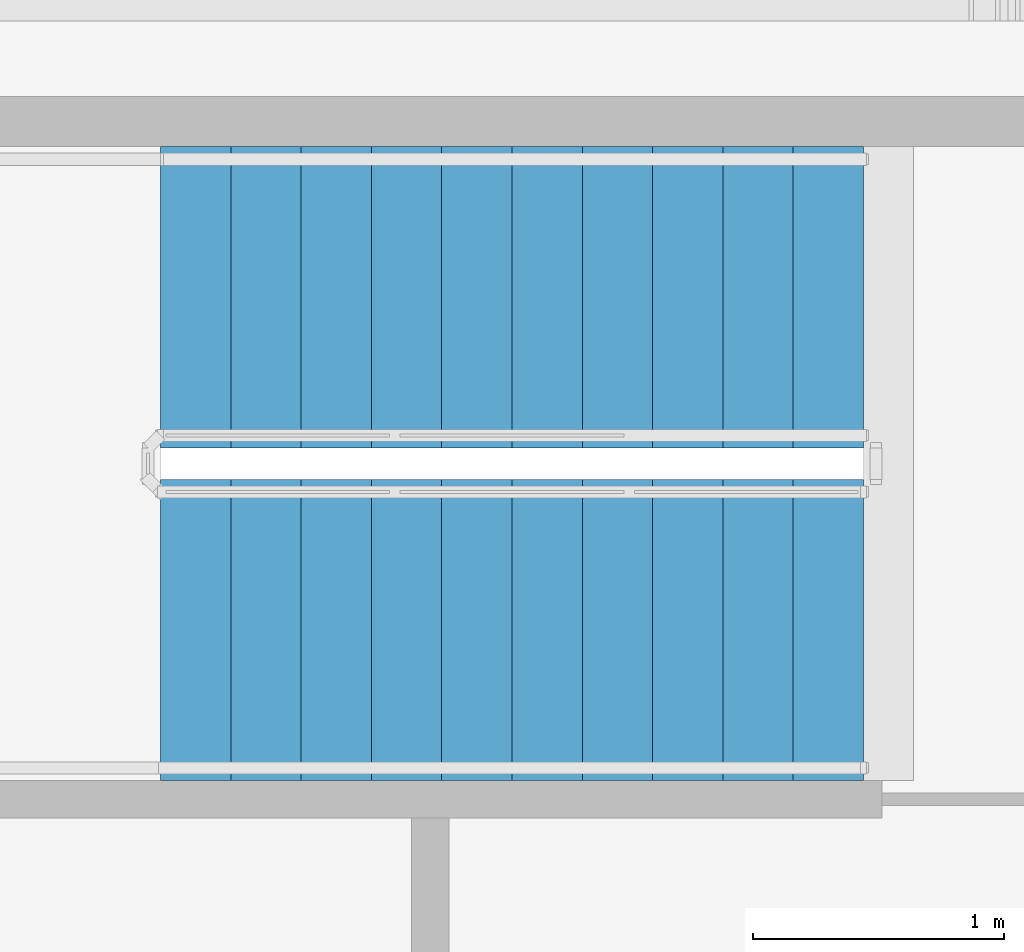
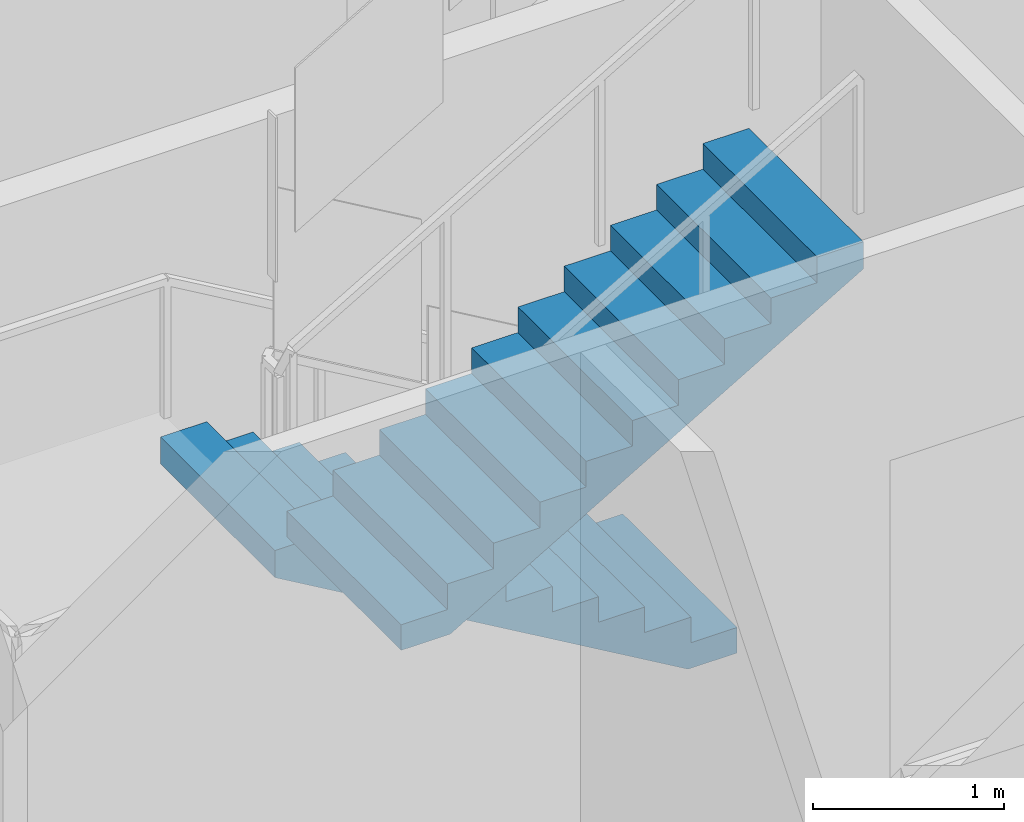
# One storey, part 13 of 19: 2 stair flights, 1 element without a shape of its own.
"""IFC4 building model written with IfcOpenShell, lengths in metres."""

from ifc_helpers import new_model, si_unit, direction, frame, origin, place, context, subcontext, project, spatial, polyline, outline, extrude, material, type_object, element, aggregate, save


model = new_model("IFC4")

# Units and contexts
model_context = context("Model", 3, precision=1e-05, world=origin(), true_north=direction((0.0, 1.0)))
body_context = subcontext(model_context, "Body", "Model", "MODEL_VIEW")
ifc_project = project(units=[si_unit("LENGTHUNIT", "METRE"), si_unit("AREAUNIT", "SQUARE_METRE"), si_unit("VOLUMEUNIT", "CUBIC_METRE"), si_unit("PLANEANGLEUNIT", "RADIAN"), si_unit("MASSUNIT", "GRAM", prefix="KILO")], contexts=[model_context])

# Site, building, storey
site_placement = place(None, origin())
site = spatial("IfcSite", under=ifc_project, at=site_placement, CompositionType="ELEMENT")
building_placement = place(site_placement, origin())
building = spatial("IfcBuilding", under=site, at=building_placement, Name="Cairn Pilgrim Tower", CompositionType="ELEMENT")
storey_placement = place(building_placement, frame((0.0, 0.0, 197.39990234375)))
storey = spatial("IfcBuildingStorey", under=building, at=storey_placement, Name="L50", CompositionType="ELEMENT", Elevation=197.39990234375)

# Stair, stair flights
ifc_material = material(Name="Concrete C32/40", Category="concrete")
stair_type = type_object("IfcStairType", Name="EXIT STAIR 1200", PredefinedType="HALF_TURN_STAIR", material=ifc_material)
stair_placement = place(storey_placement, origin())
stair = element("IfcStair", 1, at=stair_placement, inside=storey, type_object=stair_type, Name="L50 Exit Stair C", PredefinedType="HALF_TURN_STAIR")
stair_flight_type = type_object("IfcStairFlightType", Name="STAIR FLIGHT 1200", PredefinedType="STRAIGHT", material=ifc_material)
stair_flight_1_placement = place(storey_placement, frame((11.425048828125, 9.5, 0.0), z_axis=(0.0, 0.0, 1.0), x_axis=(-1.0, 0.0, 0.0)))
stair_flight_1 = element("IfcStairFlight", 2, at=stair_flight_1_placement, type_object=stair_flight_type, Name="ST-C flight 1", NumberOfRisers=11, NumberOfTreads=10, PredefinedType="STRAIGHT", RiserHeight=0.163636364, TreadLength=0.28, context=body_context, shape_type="SweptSolid", body=[
    extrude(outline(polyline([(0.0, 0.0), (0.0, 0.16357421875), (0.280029296875, 0.16357421875), (0.280029296875, 0.327392578125), (0.56005859375, 0.327392578125), (0.56005859375, 0.490966796875), (0.840087890625, 0.490966796875), (0.840087890625, 0.654541015625), (1.1201171875, 0.654541015625), (1.1201171875, 0.818115234375), (1.39990234375, 0.818115234375), (1.39990234375, 0.98193359375), (1.679931640625, 0.98193359375), (1.679931640625, 1.1455078125), (1.9599609375, 1.1455078125), (1.9599609375, 1.30908203125), (2.239990234375, 1.30908203125), (2.239990234375, 1.47265625), (2.52001953125, 1.47265625), (2.52001953125, 1.636474609375), (2.800048828125, 1.636474609375), (2.800048828125, 1.800048828125), (2.800048828125, 1.462646484375), (0.297119140625, 0.0), (0.0, 0.0)])), frame((0.0, 0.60009765625, 0.0), z_axis=(0.0, -1.0, 0.0), x_axis=(1.0, 0.0, 0.0)), (0.0, 0.0, 1.0), 1.199951171875),
])
stair_flight_2_placement = place(storey_placement, frame((8.625, 8.175048828125, 1.800048828125), z_axis=(0.0, 0.0, 1.0), x_axis=(1.0, 0.0, 0.0)))
stair_flight_2 = element("IfcStairFlight", 3, at=stair_flight_2_placement, type_object=stair_flight_type, Name="ST-C flight 2", NumberOfRisers=11, NumberOfTreads=10, PredefinedType="STRAIGHT", RiserHeight=0.163636364, TreadLength=0.28, context=body_context, shape_type="SweptSolid", body=[
    extrude(outline(polyline([(0.0, 0.0), (0.0, 0.16357421875), (0.280029296875, 0.16357421875), (0.280029296875, 0.327392578125), (0.56005859375, 0.327392578125), (0.56005859375, 0.490966796875), (0.840087890625, 0.490966796875), (0.840087890625, 0.654541015625), (1.1201171875, 0.654541015625), (1.1201171875, 0.818115234375), (1.39990234375, 0.818115234375), (1.39990234375, 0.98193359375), (1.679931640625, 0.98193359375), (1.679931640625, 1.1455078125), (1.9599609375, 1.1455078125), (1.9599609375, 1.30908203125), (2.239990234375, 1.30908203125), (2.239990234375, 1.47265625), (2.52001953125, 1.47265625), (2.52001953125, 1.636474609375), (2.800048828125, 1.636474609375), (2.800048828125, 1.800048828125), (2.800048828125, 1.462646484375), (0.297119140625, 0.0), (0.0, 0.0)])), frame((0.0, 0.60009765625, 0.0), z_axis=(0.0, -1.0, 0.0), x_axis=(1.0, 0.0, 0.0)), (0.0, 0.0, 1.0), 1.199951171875),
])
aggregate(stair, [stair_flight_1, stair_flight_2])

save(model, "model.ifc")
